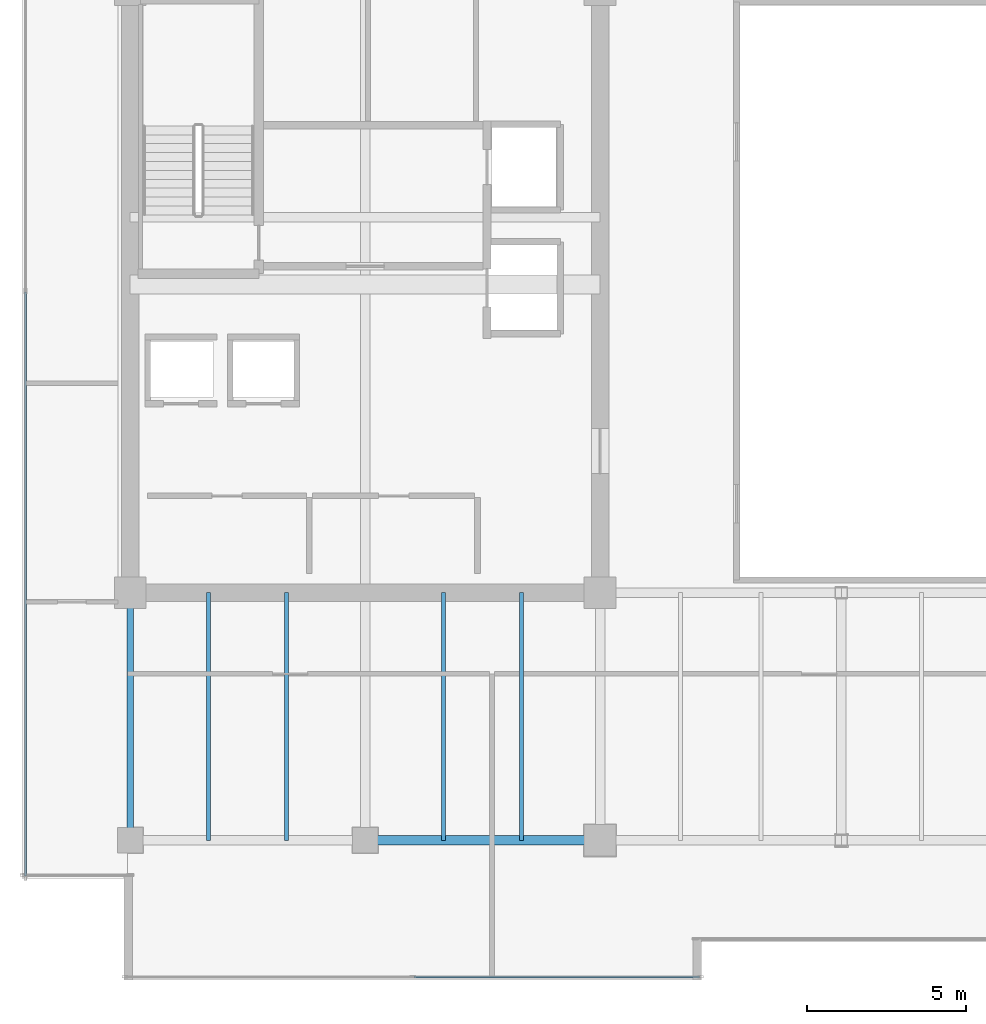
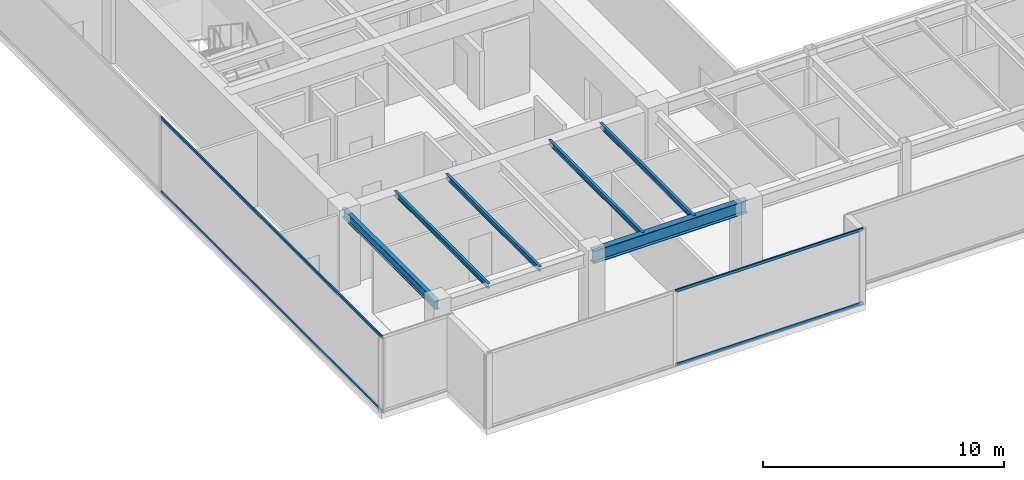
# One storey, part 6 of 36: 6 beams, 4 members, 2 elements without a shape of their own.
"""IFC4 building model written with IfcOpenShell, lengths in metres."""

from ifc_helpers import new_model, si_unit, direction, frame, origin, origin_2d, place, context, subcontext, project, spatial, hollow_rectangle, i_section, extrude, source, transform, mapped, material, layer, layer_set, material_profile, profile_set, type_object, type_shapes, element, aggregate, save


model = new_model("IFC4")

# Units and contexts
model_context = context("Model", 3, precision=1e-05, world=origin(), true_north=direction((0.0, 1.0)))
body_context = subcontext(model_context, "Body", "Model", "MODEL_VIEW")
ifc_project = project(units=[si_unit("LENGTHUNIT", "METRE"), si_unit("AREAUNIT", "SQUARE_METRE"), si_unit("VOLUMEUNIT", "CUBIC_METRE"), si_unit("PLANEANGLEUNIT", "RADIAN"), si_unit("MASSUNIT", "GRAM", prefix="KILO")], contexts=[model_context])

# Site, building, storey
site_placement = place(None, origin())
site = spatial("IfcSite", under=ifc_project, at=site_placement, CompositionType="ELEMENT")
building_placement = place(site_placement, origin())
building = spatial("IfcBuilding", under=site, at=building_placement, Name="Haelvirn Gate Laboratories", CompositionType="ELEMENT")
storey_placement = place(building_placement, frame((0.0, 0.0, 254.699951171875)))
storey = spatial("IfcBuildingStorey", under=building, at=storey_placement, Name="L61", CompositionType="ELEMENT", Elevation=254.699951171875)

# Beams
ifc_material_1 = material(Name="Steel SM355", Category="steel")
ifc_material_profile_1 = material_profile(ifc_material_1, i_section(OverallWidth=0.300048828125, OverallDepth=0.64990234375, WebThickness=0.012939453125, FlangeThickness=0.02197265625, at=origin_2d()), Name="H-650x300x13x22")
ifc_profile_set_1 = profile_set([ifc_material_profile_1], Name="Steel SM355")
beam_type_1 = type_object("IfcBeamType", Name="BM-G-650", PredefinedType="BEAM", material=ifc_profile_set_1)
shared_shape_1 = source(origin(), body_context, "Body", "SweptSolid", [
    extrude(i_section(OverallWidth=0.300048828125, OverallDepth=0.64990234375, WebThickness=0.012939453125, FlangeThickness=0.02197265625, at=origin_2d()), origin(), (0.0, 0.0, 1.0), 7.39990234375),
])
type_shapes(beam_type_1, [shared_shape_1])
beam_1_placement = place(storey_placement, frame((14.800048828125, 7.0, 3.47509765625), z_axis=(1.0, 0.0, 0.0), x_axis=(0.0, 1.0, 0.0)))
element("IfcBeam", 1, at=beam_1_placement, inside=storey, type_object=beam_type_1, Name="L61 Primary Girder Y7.0 (14.8-22.2)", PredefinedType="BEAM", context=body_context, shape_type="MappedRepresentation", body=[
    mapped(shared_shape_1, transform((0.0, 0.0, 0.0), scale=1.0)),
])
ifc_material_profile_2 = material_profile(ifc_material_1, i_section(OverallWidth=0.199951171875, OverallDepth=0.449951171875, WebThickness=0.009033203125, FlangeThickness=0.013916015625, at=origin_2d()), Name="H-450x200x9x14")
ifc_profile_set_2 = profile_set([ifc_material_profile_2], Name="Steel SM355")
beam_type_2 = type_object("IfcBeamType", Name="BM-SP-450", PredefinedType="SPANDREL", material=ifc_profile_set_2)
shared_shape_2 = source(origin(), body_context, "Body", "SweptSolid", [
    extrude(i_section(OverallWidth=0.199951171875, OverallDepth=0.449951171875, WebThickness=0.009033203125, FlangeThickness=0.013916015625, at=origin_2d()), origin(), (0.0, 0.0, 1.0), 7.800048828125),
])
type_shapes(beam_type_2, [shared_shape_2])
beam_2_placement = place(storey_placement, frame((7.39990234375, 7.0, 3.574951171875), z_axis=(0.0, 1.0, 0.0), x_axis=(-1.0, 0.0, 0.0)))
element("IfcBeam", 2, at=beam_2_placement, inside=storey, type_object=beam_type_2, Name="L61 Perimeter Spandrel X7.4 (7.0-14.8)", PredefinedType="SPANDREL", context=body_context, shape_type="MappedRepresentation", body=[
    mapped(shared_shape_2, transform((0.0, 0.0, 0.0), scale=1.0)),
])
ifc_material_profile_3 = material_profile(ifc_material_1, i_section(OverallWidth=0.125, OverallDepth=0.25, WebThickness=0.006103515625, FlangeThickness=0.009033203125, at=origin_2d()), Name="H-250x125x6x9")
ifc_profile_set_3 = profile_set([ifc_material_profile_3], Name="Steel SM355")
beam_type_3 = type_object("IfcBeamType", Name="BM-J-250", PredefinedType="JOIST", material=ifc_profile_set_3)
shared_shape_3 = source(origin(), body_context, "Body", "SweptSolid", [
    extrude(i_section(OverallWidth=0.125, OverallDepth=0.25, WebThickness=0.006103515625, FlangeThickness=0.009033203125, at=origin_2d()), origin(), (0.0, 0.0, 1.0), 7.800048828125),
])
type_shapes(beam_type_3, [shared_shape_3])
for number, where, z_axis, x_axis, name in (
    (3, (9.8701171875, 7.0, 3.675048828125), (0.0, 1.0, 0.0), (-1.0, 0.0, 0.0), "L61 Composite Lab Joist South X9.87"),
    (4, (12.330078125, 7.0, 3.675048828125), (0.0, 1.0, 0.0), (-1.0, 0.0, 0.0), "L61 Composite Lab Joist South X12.33"),
    (5, (17.27001953125, 7.0, 3.675048828125), (0.0, 1.0, 0.0), (-1.0, 0.0, 0.0), "L61 Composite Lab Joist South X17.27"),
    (6, (19.72998046875, 7.0, 3.675048828125), (0.0, 1.0, 0.0), (-1.0, 0.0, 0.0), "L61 Composite Lab Joist South X19.73"),
):
    element("IfcBeam", number, at=place(storey_placement, frame(where, z_axis=z_axis, x_axis=x_axis)), inside=storey, type_object=beam_type_3, Name=name, PredefinedType="JOIST", context=body_context, shape_type="MappedRepresentation", body=[
        mapped(shared_shape_3, transform((0.0, 0.0, 0.0), scale=1.0)),
    ])

# Curtain wall, members
ifc_material_2 = material(Name="Anodised bronze unitised aluminium & triple low-E glass", Category="aluminium")
ifc_layer = layer(ifc_material_2, 0.176025390625, Name="CW-SYS-4")
ifc_layer_set = layer_set([ifc_layer], Name="Anodised bronze unitised aluminium & triple low-E glass")
curtain_wall_type = type_object("IfcCurtainWallType", Name="CW-SYS-4", PredefinedType="NOTDEFINED", material=ifc_layer_set)
curtain_wall_1_placement = place(storey_placement, origin())
curtain_wall_1 = element("IfcCurtainWall", 7, at=curtain_wall_1_placement, inside=storey, type_object=curtain_wall_type, Name="L61 Unitised Curtain Wall CW-L61-P0-E00-1", PredefinedType="NOTDEFINED")
ifc_material_3 = material(Name="Extruded aluminium 6063-T6 (anodised bronze)", Category="aluminium")
ifc_material_profile_4 = material_profile(ifc_material_3, hollow_rectangle(XDim=0.06494140625, YDim=0.139892578125, WallThickness=0.00390625, at=origin_2d()), Name="CWT-140x65x4")
ifc_profile_set_4 = profile_set([ifc_material_profile_4], Name="Extruded aluminium 6063-T6 (anodised bronze)")
member_type = type_object("IfcMemberType", Name="CWT-T140", PredefinedType="USERDEFINED", material=ifc_profile_set_4)
shared_shape_4 = source(origin(), body_context, "Body", "SweptSolid", [
    extrude(hollow_rectangle(XDim=0.06494140625, YDim=0.139892578125, WallThickness=0.00390625, at=origin_2d()), origin(), (0.0, 0.0, 1.0), 8.9951171875),
])
member_1_placement = place(storey_placement, frame((16.3349609375, 2.699951171875, 0.032470703125), z_axis=(1.0, 0.0, 0.0), x_axis=(0.0, 1.0, 0.0)))
member_1 = element("IfcMember", 8, at=member_1_placement, type_object=member_type, Name="CW4 transom 2.1", ObjectType="TRANSOM", PredefinedType="USERDEFINED", context=body_context, shape_type="MappedRepresentation", body=[
    mapped(shared_shape_4, transform((0.0, 0.0, 0.0), scale=1.0)),
])
member_2_placement = place(storey_placement, frame((16.3349609375, 2.699951171875, 3.767578125), z_axis=(1.0, 0.0, 0.0), x_axis=(0.0, 1.0, 0.0)))
member_2 = element("IfcMember", 9, at=member_2_placement, type_object=member_type, Name="CW4 transom 2.2", ObjectType="TRANSOM", PredefinedType="USERDEFINED", context=body_context, shape_type="MappedRepresentation", body=[
    mapped(shared_shape_4, transform((0.0, 0.0, 0.0), scale=1.0)),
])
aggregate(curtain_wall_1, [member_1, member_2])

curtain_wall_2_placement = place(storey_placement, origin())
curtain_wall_2 = element("IfcCurtainWall", 10, at=curtain_wall_2_placement, inside=storey, type_object=curtain_wall_type, Name="L61 Unitised Curtain Wall CW-L61-P0-E17", PredefinedType="NOTDEFINED")
shared_shape_5 = source(origin(), body_context, "Body", "SweptSolid", [
    extrude(hollow_rectangle(XDim=0.06494140625, YDim=0.139892578125, WallThickness=0.00390625, at=origin_2d()), origin(), (0.0, 0.0, 1.0), 18.394775390625),
])
type_shapes(member_type, [shared_shape_4, shared_shape_5])
member_3_placement = place(storey_placement, frame((4.10009765625, 24.264892578125, 0.032470703125), z_axis=(0.0, -1.0, 0.0), x_axis=(1.0, 0.0, 0.0)))
member_3 = element("IfcMember", 11, at=member_3_placement, type_object=member_type, Name="CW4 transom 2.1", ObjectType="TRANSOM", PredefinedType="USERDEFINED", context=body_context, shape_type="MappedRepresentation", body=[
    mapped(shared_shape_5, transform((0.0, 0.0, 0.0), scale=1.0)),
])
member_4_placement = place(storey_placement, frame((4.10009765625, 24.264892578125, 3.767578125), z_axis=(0.0, -1.0, 0.0), x_axis=(1.0, 0.0, 0.0)))
member_4 = element("IfcMember", 12, at=member_4_placement, type_object=member_type, Name="CW4 transom 2.2", ObjectType="TRANSOM", PredefinedType="USERDEFINED", context=body_context, shape_type="MappedRepresentation", body=[
    mapped(shared_shape_5, transform((0.0, 0.0, 0.0), scale=1.0)),
])
aggregate(curtain_wall_2, [member_3, member_4])

save(model, "model.ifc")
